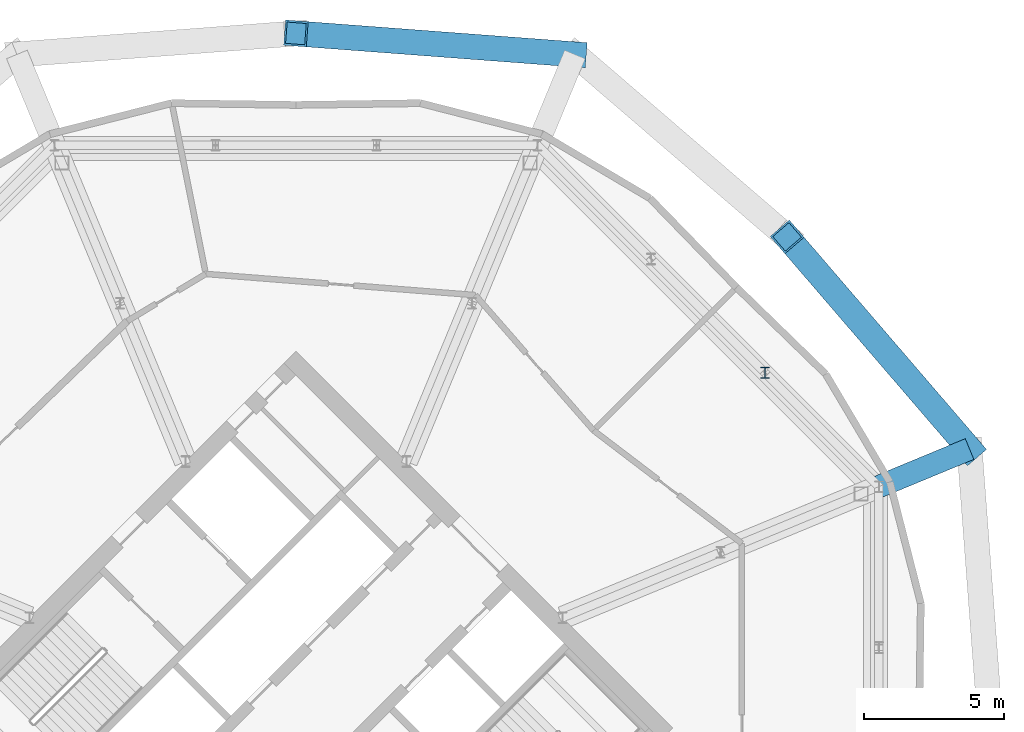
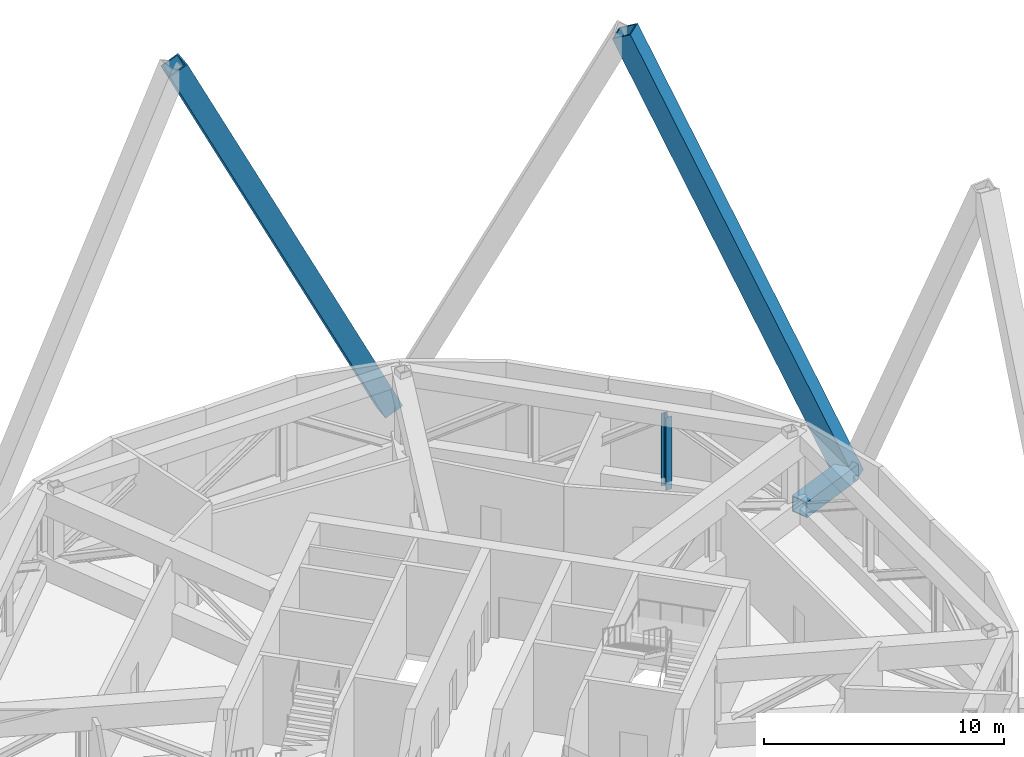
# One storey, part 10 of 20: 3 members, 1 beam.
"""IFC4 building model written with IfcOpenShell, lengths in metres."""

from ifc_helpers import new_model, si_unit, direction, frame, origin, origin_2d, place, context, subcontext, project, spatial, hollow_rectangle, i_section, extrude, material, material_profile, profile_set, type_object, element, save


model = new_model("IFC4")

# Units and contexts
model_context = context("Model", 3, precision=1e-05, world=origin(), true_north=direction((0.0, 1.0)))
body_context = subcontext(model_context, "Body", "Model", "MODEL_VIEW")
ifc_project = project(units=[si_unit("LENGTHUNIT", "METRE"), si_unit("AREAUNIT", "SQUARE_METRE"), si_unit("VOLUMEUNIT", "CUBIC_METRE"), si_unit("PLANEANGLEUNIT", "RADIAN"), si_unit("MASSUNIT", "GRAM", prefix="KILO")], contexts=[model_context])

# Site, building, storey
site_placement = place(None, origin())
site = spatial("IfcSite", under=ifc_project, at=site_placement, CompositionType="ELEMENT")
building_placement = place(site_placement, origin())
building = spatial("IfcBuilding", under=site, at=building_placement, Name="Ogive Gate Towers", CompositionType="ELEMENT")
storey_placement = place(building_placement, frame((0.0, 0.0, 160.800048828125)))
storey = spatial("IfcBuildingStorey", under=building, at=storey_placement, Name="L38", CompositionType="ELEMENT", Elevation=160.800048828125)

# Members
ifc_material = material(Name="Steel SM460", Category="steel")
ifc_material_profile_1 = material_profile(ifc_material, hollow_rectangle(XDim=0.89990234375, YDim=0.89990234375, WallThickness=0.070068359375, at=origin_2d()), Name="BX 900x900x70")
ifc_profile_set_1 = profile_set([ifc_material_profile_1], Name="Steel SM460")
member_type_1 = type_object("IfcMemberType", Name="Diagrid diagonal BX 900x900x70", PredefinedType="BRACE", material=ifc_profile_set_1)
member_1_placement = place(storey_placement, frame((60.01171875, 9.94580078125, 0.0), z_axis=(-0.286407312058, 0.333025507377, 0.898367888471), x_axis=(-0.758179145942, -0.652046304076, 0.0)))
element("IfcMember", 1, at=member_1_placement, inside=storey, type_object=member_type_1, Name="T2/L38/SDG002", PredefinedType="BRACE", context=body_context, shape_type="SweptSolid", body=[
    extrude(hollow_rectangle(XDim=0.89990234375, YDim=0.89990234375, WallThickness=0.070068359375, at=origin_2d()), origin(), (0.0, 0.0, 1.0), 22.707763671875),
])
member_2_placement = place(storey_placement, frame((45.94580078125, 24.01171875, 0.0), z_axis=(-0.437994442779, 0.032953335145, 0.898373500165), x_axis=(-0.075024836873, -0.997181665421, 0.0)))
element("IfcMember", 2, at=member_2_placement, inside=storey, type_object=member_type_1, Name="T2/L38/SDG004", PredefinedType="BRACE", context=body_context, shape_type="SweptSolid", body=[
    extrude(hollow_rectangle(XDim=0.89990234375, YDim=0.89990234375, WallThickness=0.070068359375, at=origin_2d()), origin(), (0.0, 0.0, 1.0), 22.70751953125),
])

# Beam
ifc_material_profile_2 = material_profile(ifc_material, hollow_rectangle(XDim=0.800048828125, YDim=0.800048828125, WallThickness=0.050048828125, at=origin_2d()), Name="BX 800x800x50")
ifc_profile_set_2 = profile_set([ifc_material_profile_2], Name="Steel SM460")
beam_type = type_object("IfcBeamType", Name="Node arm BX 800x800x50", PredefinedType="BEAM", material=ifc_profile_set_2)
beam_placement = place(storey_placement, frame((56.778076171875, 8.6064453125, 0.449951171875), z_axis=(0.923885910704, 0.382668033682, 0.0), x_axis=(-0.382668033682, 0.923885910704, 0.0)))
element("IfcBeam", 3, at=beam_placement, inside=storey, type_object=beam_type, Name="T2/L38/SBM017", PredefinedType="BEAM", context=body_context, shape_type="SweptSolid", body=[
    extrude(hollow_rectangle(XDim=0.800048828125, YDim=0.800048828125, WallThickness=0.050048828125, at=origin_2d()), origin(), (0.0, 0.0, 1.0), 3.5),
])

# Member
ifc_material_profile_3 = material_profile(ifc_material, i_section(OverallWidth=0.300048828125, OverallDepth=0.39990234375, WebThickness=0.013427734375, FlangeThickness=0.02392578125, FilletRadius=0.027099609375, at=origin_2d()), Name="HE 400 B")
ifc_profile_set_3 = profile_set([ifc_material_profile_3], Name="Steel SM460")
member_type_2 = type_object("IfcMemberType", Name="Truss post HE 400 B", PredefinedType="POST", material=ifc_profile_set_3)
member_3_placement = place(storey_placement, frame((52.720947265625, 12.66357421875, 0.39990234375), z_axis=(0.0, 0.0, 1.0), x_axis=(1.0, 0.0, 0.0)))
element("IfcMember", 4, at=member_3_placement, inside=storey, type_object=member_type_2, Name="T2/L38/STR007", PredefinedType="POST", context=body_context, shape_type="SweptSolid", body=[
    extrude(i_section(OverallWidth=0.300048828125, OverallDepth=0.39990234375, WebThickness=0.013427734375, FlangeThickness=0.02392578125, FilletRadius=0.027099609375, at=origin_2d()), origin(), (0.0, 0.0, 1.0), 3.699951171875),
])

save(model, "model.ifc")
